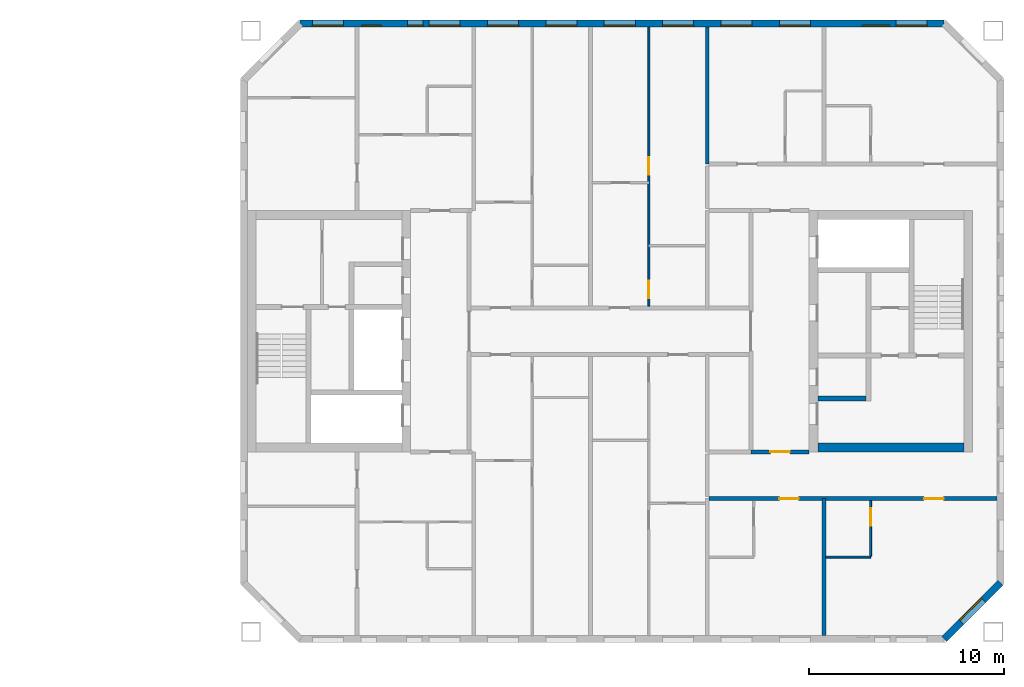
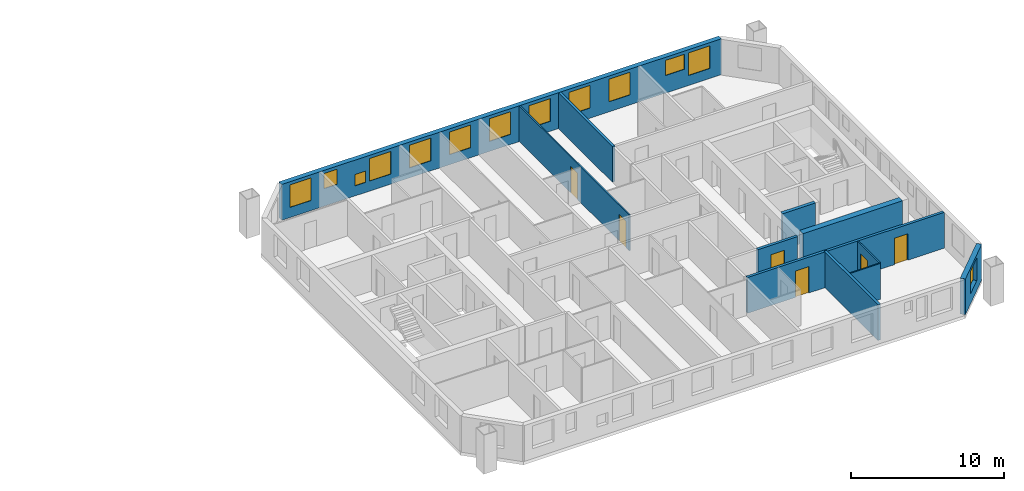
# One storey, part 12 of 16: 13 windows, 11 walls, 6 doors, 19 openings.
"""IFC4 building model written with IfcOpenShell, lengths in metres."""

from ifc_helpers import new_model, si_unit, direction, frame, frame_2d, origin, place, context, subcontext, project, spatial, rectangle, extrude, material, layer, layer_set, type_object, element, fill, save


model = new_model("IFC4")

# Units and contexts
model_context = context("Model", 3, precision=1e-05, world=origin(), true_north=direction((0.0, 1.0)))
body_context = subcontext(model_context, "Body", "Model", "MODEL_VIEW")
ifc_project = project(units=[si_unit("LENGTHUNIT", "METRE"), si_unit("AREAUNIT", "SQUARE_METRE"), si_unit("VOLUMEUNIT", "CUBIC_METRE"), si_unit("PLANEANGLEUNIT", "RADIAN"), si_unit("MASSUNIT", "GRAM", prefix="KILO")], contexts=[model_context])

# Site, building, storey
site_placement = place(None, origin())
site = spatial("IfcSite", under=ifc_project, at=site_placement, CompositionType="ELEMENT")
building_placement = place(site_placement, origin())
building = spatial("IfcBuilding", under=site, at=building_placement, Name="Tuart Gate Housing", CompositionType="ELEMENT")
storey_placement = place(building_placement, frame((0.0, 0.0, 178.89990234375)))
storey = spatial("IfcBuildingStorey", under=building, at=storey_placement, Name="L50", CompositionType="ELEMENT", Elevation=178.89990234375)

# Wall, opening, window
ifc_material_1 = material(Name="Brick", Category="masonry")
ifc_layer_1 = layer(ifc_material_1, 0.360107421875)
ifc_layer_set_1 = layer_set([ifc_layer_1], Name="Brick pier and spandrel wall 360")
wall_type_1 = type_object("IfcWallType", Name="Brick pier and spandrel wall 360", PredefinedType="STANDARD", material=ifc_layer_set_1)
wall_1_placement = place(storey_placement, frame((167.17529296875, 54.179931640625, 0.0), z_axis=(0.0, 0.0, 1.0), x_axis=(0.707106781187, 0.707106781187, 0.0)))
wall_1 = element("IfcWall", 1, at=wall_1_placement, inside=storey, type_object=wall_type_1, Name="External wall B-SE L50", PredefinedType="STANDARD", context=body_context, shape_type="SweptSolid", body=[
    extrude(rectangle(XDim=4.09375, YDim=0.360107421875, at=frame_2d((2.046875, 0.0))), origin(), (0.0, 0.0, 1.0), 2.85009765625),
])
opening_1_placement = place(wall_1_placement, frame((1.2470703125, 0.0, 0.800048828125)))
opening_1 = element("IfcOpeningElement", 2, at=opening_1_placement, cuts=wall_1, Name="Opening W1", PredefinedType="OPENING", context=body_context, shape_type="SweptSolid", body=[
    extrude(rectangle(XDim=1.60009765625, YDim=1.800048828125, at=frame_2d((0.800048828125, 0.89990234375))), frame((0.0, 0.18994140625, 0.0), z_axis=(0.0, -1.0, 0.0), x_axis=(1.0, 0.0, 0.0)), (0.0, 0.0, 1.0), 0.380126953125),
])
ifc_material_2 = material(Name="Aluminium frame with clear glass", Category="aluminium")
window_type_1 = type_object("IfcWindowType", Name="Punched window 1600 x 1800", PartitioningType="SINGLE_PANEL", PredefinedType="WINDOW", material=ifc_material_2)
window_1_placement = place(opening_1_placement, origin())
window_1 = element("IfcWindow", 3, at=window_1_placement, inside=storey, type_object=window_type_1, Name="Window W1", OverallHeight=1.800048828125, OverallWidth=1.60009765625, PartitioningType="SINGLE_PANEL", PredefinedType="WINDOW", context=body_context, shape_type="SweptSolid", body=[
    extrude(rectangle(XDim=1.60009765625, YDim=1.800048828125, at=frame_2d((0.800048828125, 0.89990234375))), frame((0.0, 0.150146484375, 0.0), z_axis=(0.0, -1.0, 0.0), x_axis=(1.0, 0.0, 0.0)), (0.0, 0.0, 1.0), 0.06005859375),
])
fill(opening_1, window_1)

# Wall, openings, windows
wall_2_placement = place(storey_placement, frame((167.17529296875, 85.820068359375, 0.0), z_axis=(0.0, 0.0, 1.0), x_axis=(-1.0, 0.0, 0.0)))
wall_2 = element("IfcWall", 4, at=wall_2_placement, inside=storey, type_object=wall_type_1, Name="External wall B-N L50", PredefinedType="STANDARD", context=body_context, shape_type="SweptSolid", body=[
    extrude(rectangle(XDim=33.100830078125, YDim=0.360107421875, at=frame_2d((16.55029296875, 0.0))), origin(), (0.0, 0.0, 1.0), 2.85009765625),
])
opening_2_placement = place(wall_2_placement, frame((0.87548828125, 0.0, 0.800048828125)))
opening_2 = element("IfcOpeningElement", 5, at=opening_2_placement, cuts=wall_2, Name="Opening W1", PredefinedType="OPENING", context=body_context, shape_type="SweptSolid", body=[
    extrude(rectangle(XDim=1.60009765625, YDim=1.800048828125, at=frame_2d((0.800048828125, 0.89990234375))), frame((0.0, 0.18994140625, 0.0), z_axis=(0.0, -1.0, 0.0), x_axis=(1.0, 0.0, 0.0)), (0.0, 0.0, 1.0), 0.380126953125),
])
opening_3_placement = place(wall_2_placement, frame((2.800048828125, 0.0, 1.39990234375)))
opening_3 = element("IfcOpeningElement", 6, at=opening_3_placement, cuts=wall_2, Name="Opening W1M", PredefinedType="OPENING", context=body_context, shape_type="SweptSolid", body=[
    extrude(rectangle(XDim=1.39990234375, YDim=1.199951171875, at=frame_2d((0.699951171875, 0.60009765625))), frame((0.0, 0.18994140625, 0.0), z_axis=(0.0, -1.0, 0.0), x_axis=(1.0, 0.0, 0.0)), (0.0, 0.0, 1.0), 0.380126953125),
])
opening_4_placement = place(wall_2_placement, frame((6.87548828125, 0.0, 0.800048828125)))
opening_4 = element("IfcOpeningElement", 7, at=opening_4_placement, cuts=wall_2, Name="Opening W1", PredefinedType="OPENING", context=body_context, shape_type="SweptSolid", body=[
    extrude(rectangle(XDim=1.60009765625, YDim=1.800048828125, at=frame_2d((0.800048828125, 0.89990234375))), frame((0.0, 0.18994140625, 0.0), z_axis=(0.0, -1.0, 0.0), x_axis=(1.0, 0.0, 0.0)), (0.0, 0.0, 1.0), 0.380126953125),
])
opening_5_placement = place(wall_2_placement, frame((9.87548828125, 0.0, 0.800048828125)))
opening_5 = element("IfcOpeningElement", 8, at=opening_5_placement, cuts=wall_2, Name="Opening W1", PredefinedType="OPENING", context=body_context, shape_type="SweptSolid", body=[
    extrude(rectangle(XDim=1.60009765625, YDim=1.800048828125, at=frame_2d((0.800048828125, 0.89990234375))), frame((0.0, 0.18994140625, 0.0), z_axis=(0.0, -1.0, 0.0), x_axis=(1.0, 0.0, 0.0)), (0.0, 0.0, 1.0), 0.380126953125),
])
opening_6_placement = place(wall_2_placement, frame((12.87548828125, 0.0, 0.800048828125)))
opening_6 = element("IfcOpeningElement", 9, at=opening_6_placement, cuts=wall_2, Name="Opening W1", PredefinedType="OPENING", context=body_context, shape_type="SweptSolid", body=[
    extrude(rectangle(XDim=1.60009765625, YDim=1.800048828125, at=frame_2d((0.800048828125, 0.89990234375))), frame((0.0, 0.18994140625, 0.0), z_axis=(0.0, -1.0, 0.0), x_axis=(1.0, 0.0, 0.0)), (0.0, 0.0, 1.0), 0.380126953125),
])
opening_7_placement = place(wall_2_placement, frame((15.87548828125, 0.0, 0.800048828125)))
opening_7 = element("IfcOpeningElement", 10, at=opening_7_placement, cuts=wall_2, Name="Opening W1", PredefinedType="OPENING", context=body_context, shape_type="SweptSolid", body=[
    extrude(rectangle(XDim=1.60009765625, YDim=1.800048828125, at=frame_2d((0.800048828125, 0.89990234375))), frame((0.0, 0.18994140625, 0.0), z_axis=(0.0, -1.0, 0.0), x_axis=(1.0, 0.0, 0.0)), (0.0, 0.0, 1.0), 0.380126953125),
])
opening_8_placement = place(wall_2_placement, frame((18.87548828125, 0.0, 0.800048828125)))
opening_8 = element("IfcOpeningElement", 11, at=opening_8_placement, cuts=wall_2, Name="Opening W1", PredefinedType="OPENING", context=body_context, shape_type="SweptSolid", body=[
    extrude(rectangle(XDim=1.60009765625, YDim=1.800048828125, at=frame_2d((0.800048828125, 0.89990234375))), frame((0.0, 0.18994140625, 0.0), z_axis=(0.0, -1.0, 0.0), x_axis=(1.0, 0.0, 0.0)), (0.0, 0.0, 1.0), 0.380126953125),
])
opening_9_placement = place(wall_2_placement, frame((21.87548828125, 0.0, 0.800048828125)))
opening_9 = element("IfcOpeningElement", 12, at=opening_9_placement, cuts=wall_2, Name="Opening W1", PredefinedType="OPENING", context=body_context, shape_type="SweptSolid", body=[
    extrude(rectangle(XDim=1.60009765625, YDim=1.800048828125, at=frame_2d((0.800048828125, 0.89990234375))), frame((0.0, 0.18994140625, 0.0), z_axis=(0.0, -1.0, 0.0), x_axis=(1.0, 0.0, 0.0)), (0.0, 0.0, 1.0), 0.380126953125),
])
opening_10_placement = place(wall_2_placement, frame((24.87548828125, 0.0, 0.800048828125)))
opening_10 = element("IfcOpeningElement", 13, at=opening_10_placement, cuts=wall_2, Name="Opening W1", PredefinedType="OPENING", context=body_context, shape_type="SweptSolid", body=[
    extrude(rectangle(XDim=1.60009765625, YDim=1.800048828125, at=frame_2d((0.800048828125, 0.89990234375))), frame((0.0, 0.18994140625, 0.0), z_axis=(0.0, -1.0, 0.0), x_axis=(1.0, 0.0, 0.0)), (0.0, 0.0, 1.0), 0.380126953125),
])
opening_11_placement = place(wall_2_placement, frame((26.775390625, 0.0, 0.800048828125)))
opening_11 = element("IfcOpeningElement", 14, at=opening_11_placement, cuts=wall_2, Name="Opening W1V", PredefinedType="OPENING", context=body_context, shape_type="SweptSolid", body=[
    extrude(rectangle(XDim=0.800048828125, YDim=0.89990234375, at=frame_2d((0.39990234375, 0.449951171875))), frame((0.0, 0.18994140625, 0.0), z_axis=(0.0, -1.0, 0.0), x_axis=(1.0, 0.0, 0.0)), (0.0, 0.0, 1.0), 0.380126953125),
])
opening_12_placement = place(wall_2_placement, frame((30.87548828125, 0.0, 0.800048828125)))
opening_12 = element("IfcOpeningElement", 15, at=opening_12_placement, cuts=wall_2, Name="Opening W1", PredefinedType="OPENING", context=body_context, shape_type="SweptSolid", body=[
    extrude(rectangle(XDim=1.60009765625, YDim=1.800048828125, at=frame_2d((0.800048828125, 0.89990234375))), frame((0.0, 0.18994140625, 0.0), z_axis=(0.0, -1.0, 0.0), x_axis=(1.0, 0.0, 0.0)), (0.0, 0.0, 1.0), 0.380126953125),
])
opening_13_placement = place(wall_2_placement, frame((28.92529296875, 0.0, 1.39990234375)))
opening_13 = element("IfcOpeningElement", 16, at=opening_13_placement, cuts=wall_2, Name="Opening W1O", PredefinedType="OPENING", context=body_context, shape_type="SweptSolid", body=[
    extrude(rectangle(XDim=1.0, YDim=1.199951171875, at=frame_2d((0.5, 0.60009765625))), frame((0.0, 0.18994140625, 0.0), z_axis=(0.0, -1.0, 0.0), x_axis=(1.0, 0.0, 0.0)), (0.0, 0.0, 1.0), 0.380126953125),
])
ifc_material_3 = material(Name="Aluminium frame with clear glass", Category="aluminium")
window_type_2 = type_object("IfcWindowType", Name="Punched window 1000 x 1200", PartitioningType="SINGLE_PANEL", PredefinedType="WINDOW", material=ifc_material_3)
window_2_placement = place(opening_13_placement, origin())
window_2 = element("IfcWindow", 17, at=window_2_placement, inside=storey, type_object=window_type_2, Name="Window W1O", OverallHeight=1.199951171875, OverallWidth=1.0, PartitioningType="SINGLE_PANEL", PredefinedType="WINDOW", context=body_context, shape_type="SweptSolid", body=[
    extrude(rectangle(XDim=1.0, YDim=1.199951171875, at=frame_2d((0.5, 0.60009765625))), frame((0.0, 0.150146484375, 0.0), z_axis=(0.0, -1.0, 0.0), x_axis=(1.0, 0.0, 0.0)), (0.0, 0.0, 1.0), 0.06005859375),
])
fill(opening_13, window_2)
ifc_material_4 = material(Name="Aluminium frame with clear glass", Category="aluminium")
window_type_3 = type_object("IfcWindowType", Name="Punched window 1400 x 1200", PartitioningType="SINGLE_PANEL", PredefinedType="WINDOW", material=ifc_material_4)
window_3_placement = place(opening_3_placement, origin())
window_3 = element("IfcWindow", 18, at=window_3_placement, inside=storey, type_object=window_type_3, Name="Window W1M", OverallHeight=1.199951171875, OverallWidth=1.39990234375, PartitioningType="SINGLE_PANEL", PredefinedType="WINDOW", context=body_context, shape_type="SweptSolid", body=[
    extrude(rectangle(XDim=1.39990234375, YDim=1.199951171875, at=frame_2d((0.699951171875, 0.60009765625))), frame((0.0, 0.150146484375, 0.0), z_axis=(0.0, -1.0, 0.0), x_axis=(1.0, 0.0, 0.0)), (0.0, 0.0, 1.0), 0.06005859375),
])
fill(opening_3, window_3)
window_4_placement = place(opening_2_placement, origin())
window_4 = element("IfcWindow", 19, at=window_4_placement, inside=storey, type_object=window_type_1, Name="Window W1", OverallHeight=1.800048828125, OverallWidth=1.60009765625, PartitioningType="SINGLE_PANEL", PredefinedType="WINDOW", context=body_context, shape_type="SweptSolid", body=[
    extrude(rectangle(XDim=1.60009765625, YDim=1.800048828125, at=frame_2d((0.800048828125, 0.89990234375))), frame((0.0, 0.150146484375, 0.0), z_axis=(0.0, -1.0, 0.0), x_axis=(1.0, 0.0, 0.0)), (0.0, 0.0, 1.0), 0.06005859375),
])
fill(opening_2, window_4)
window_5_placement = place(opening_4_placement, origin())
window_5 = element("IfcWindow", 20, at=window_5_placement, inside=storey, type_object=window_type_1, Name="Window W1", OverallHeight=1.800048828125, OverallWidth=1.60009765625, PartitioningType="SINGLE_PANEL", PredefinedType="WINDOW", context=body_context, shape_type="SweptSolid", body=[
    extrude(rectangle(XDim=1.60009765625, YDim=1.800048828125, at=frame_2d((0.800048828125, 0.89990234375))), frame((0.0, 0.150146484375, 0.0), z_axis=(0.0, -1.0, 0.0), x_axis=(1.0, 0.0, 0.0)), (0.0, 0.0, 1.0), 0.06005859375),
])
fill(opening_4, window_5)
window_6_placement = place(opening_5_placement, origin())
window_6 = element("IfcWindow", 21, at=window_6_placement, inside=storey, type_object=window_type_1, Name="Window W1", OverallHeight=1.800048828125, OverallWidth=1.60009765625, PartitioningType="SINGLE_PANEL", PredefinedType="WINDOW", context=body_context, shape_type="SweptSolid", body=[
    extrude(rectangle(XDim=1.60009765625, YDim=1.800048828125, at=frame_2d((0.800048828125, 0.89990234375))), frame((0.0, 0.150146484375, 0.0), z_axis=(0.0, -1.0, 0.0), x_axis=(1.0, 0.0, 0.0)), (0.0, 0.0, 1.0), 0.06005859375),
])
fill(opening_5, window_6)
window_7_placement = place(opening_6_placement, origin())
window_7 = element("IfcWindow", 22, at=window_7_placement, inside=storey, type_object=window_type_1, Name="Window W1", OverallHeight=1.800048828125, OverallWidth=1.60009765625, PartitioningType="SINGLE_PANEL", PredefinedType="WINDOW", context=body_context, shape_type="SweptSolid", body=[
    extrude(rectangle(XDim=1.60009765625, YDim=1.800048828125, at=frame_2d((0.800048828125, 0.89990234375))), frame((0.0, 0.150146484375, 0.0), z_axis=(0.0, -1.0, 0.0), x_axis=(1.0, 0.0, 0.0)), (0.0, 0.0, 1.0), 0.06005859375),
])
fill(opening_6, window_7)
window_8_placement = place(opening_7_placement, origin())
window_8 = element("IfcWindow", 23, at=window_8_placement, inside=storey, type_object=window_type_1, Name="Window W1", OverallHeight=1.800048828125, OverallWidth=1.60009765625, PartitioningType="SINGLE_PANEL", PredefinedType="WINDOW", context=body_context, shape_type="SweptSolid", body=[
    extrude(rectangle(XDim=1.60009765625, YDim=1.800048828125, at=frame_2d((0.800048828125, 0.89990234375))), frame((0.0, 0.150146484375, 0.0), z_axis=(0.0, -1.0, 0.0), x_axis=(1.0, 0.0, 0.0)), (0.0, 0.0, 1.0), 0.06005859375),
])
fill(opening_7, window_8)
window_9_placement = place(opening_8_placement, origin())
window_9 = element("IfcWindow", 24, at=window_9_placement, inside=storey, type_object=window_type_1, Name="Window W1", OverallHeight=1.800048828125, OverallWidth=1.60009765625, PartitioningType="SINGLE_PANEL", PredefinedType="WINDOW", context=body_context, shape_type="SweptSolid", body=[
    extrude(rectangle(XDim=1.60009765625, YDim=1.800048828125, at=frame_2d((0.800048828125, 0.89990234375))), frame((0.0, 0.150146484375, 0.0), z_axis=(0.0, -1.0, 0.0), x_axis=(1.0, 0.0, 0.0)), (0.0, 0.0, 1.0), 0.06005859375),
])
fill(opening_8, window_9)
window_10_placement = place(opening_9_placement, origin())
window_10 = element("IfcWindow", 25, at=window_10_placement, inside=storey, type_object=window_type_1, Name="Window W1", OverallHeight=1.800048828125, OverallWidth=1.60009765625, PartitioningType="SINGLE_PANEL", PredefinedType="WINDOW", context=body_context, shape_type="SweptSolid", body=[
    extrude(rectangle(XDim=1.60009765625, YDim=1.800048828125, at=frame_2d((0.800048828125, 0.89990234375))), frame((0.0, 0.150146484375, 0.0), z_axis=(0.0, -1.0, 0.0), x_axis=(1.0, 0.0, 0.0)), (0.0, 0.0, 1.0), 0.06005859375),
])
fill(opening_9, window_10)
window_11_placement = place(opening_10_placement, origin())
window_11 = element("IfcWindow", 26, at=window_11_placement, inside=storey, type_object=window_type_1, Name="Window W1", OverallHeight=1.800048828125, OverallWidth=1.60009765625, PartitioningType="SINGLE_PANEL", PredefinedType="WINDOW", context=body_context, shape_type="SweptSolid", body=[
    extrude(rectangle(XDim=1.60009765625, YDim=1.800048828125, at=frame_2d((0.800048828125, 0.89990234375))), frame((0.0, 0.150146484375, 0.0), z_axis=(0.0, -1.0, 0.0), x_axis=(1.0, 0.0, 0.0)), (0.0, 0.0, 1.0), 0.06005859375),
])
fill(opening_10, window_11)
window_12_placement = place(opening_12_placement, origin())
window_12 = element("IfcWindow", 27, at=window_12_placement, inside=storey, type_object=window_type_1, Name="Window W1", OverallHeight=1.800048828125, OverallWidth=1.60009765625, PartitioningType="SINGLE_PANEL", PredefinedType="WINDOW", context=body_context, shape_type="SweptSolid", body=[
    extrude(rectangle(XDim=1.60009765625, YDim=1.800048828125, at=frame_2d((0.800048828125, 0.89990234375))), frame((0.0, 0.150146484375, 0.0), z_axis=(0.0, -1.0, 0.0), x_axis=(1.0, 0.0, 0.0)), (0.0, 0.0, 1.0), 0.06005859375),
])
fill(opening_12, window_12)
ifc_material_5 = material(Name="Aluminium frame with clear glass", Category="aluminium")
window_type_4 = type_object("IfcWindowType", Name="Punched window 800 x 900", PartitioningType="SINGLE_PANEL", PredefinedType="WINDOW", material=ifc_material_5)
window_13_placement = place(opening_11_placement, origin())
window_13 = element("IfcWindow", 28, at=window_13_placement, inside=storey, type_object=window_type_4, Name="Window W1V", OverallHeight=0.89990234375, OverallWidth=0.800048828125, PartitioningType="SINGLE_PANEL", PredefinedType="WINDOW", context=body_context, shape_type="SweptSolid", body=[
    extrude(rectangle(XDim=0.800048828125, YDim=0.89990234375, at=frame_2d((0.39990234375, 0.449951171875))), frame((0.0, 0.150146484375, 0.0), z_axis=(0.0, -1.0, 0.0), x_axis=(1.0, 0.0, 0.0)), (0.0, 0.0, 1.0), 0.06005859375),
])
fill(opening_11, window_13)

# Walls
ifc_material_6 = material(Name="Concrete C40", Category="concrete")
ifc_layer_2 = layer(ifc_material_6, 0.25)
ifc_layer_set_2 = layer_set([ifc_layer_2], Name="Core wall 250 C40")
wall_type_2 = type_object("IfcWallType", Name="Core wall 250 C40", PredefinedType="SHEAR", material=ifc_layer_set_2)
wall_3_placement = place(storey_placement, frame((160.68994140625, 66.550048828125, 0.0), z_axis=(0.0, 0.0, 1.0), x_axis=(1.0, 0.0, 0.0)))
element("IfcWall", 29, at=wall_3_placement, inside=storey, type_object=wall_type_2, Name="Core wall BK.4", PredefinedType="SHEAR", context=body_context, shape_type="SweptSolid", body=[
    extrude(rectangle(XDim=2.47509765625, YDim=0.25, at=frame_2d((1.237548828125, 0.0))), origin(), (0.0, 0.0, 1.0), 2.85009765625),
])
ifc_material_7 = material(Name="Concrete C40", Category="concrete")
ifc_layer_3 = layer(ifc_material_7, 0.449951171875)
ifc_layer_set_3 = layer_set([ifc_layer_3], Name="Core wall 450 C40")
wall_type_3 = type_object("IfcWallType", Name="Core wall 450 C40", PredefinedType="SHEAR", material=ifc_layer_set_3)
wall_4_placement = place(storey_placement, frame((160.68994140625, 64.02490234375, 0.0), z_axis=(0.0, 0.0, 1.0), x_axis=(1.0, 0.0, 0.0)))
element("IfcWall", 30, at=wall_4_placement, inside=storey, type_object=wall_type_3, Name="Core wall BK north", PredefinedType="SHEAR", context=body_context, shape_type="SweptSolid", body=[
    extrude(rectangle(XDim=7.5, YDim=0.449951171875, at=frame_2d((3.75, 0.0))), origin(), (0.0, 0.0, 1.0), 2.85009765625),
])

# Wall, openings, doors
ifc_material_8 = material(Name="Concrete masonry 15 MPa", Category="masonry")
ifc_layer_4 = layer(ifc_material_8, 0.199951171875)
ifc_layer_set_4 = layer_set([ifc_layer_4], Name="Corridor wall masonry 200")
wall_type_4 = type_object("IfcWallType", Name="Corridor wall masonry 200", PredefinedType="PARTITIONING", material=ifc_layer_set_4)
wall_5_placement = place(storey_placement, frame((155.10009765625, 61.39990234375, 0.0), z_axis=(0.0, 0.0, 1.0), x_axis=(1.0, 0.0, 0.0)))
wall_5 = element("IfcWall", 31, at=wall_5_placement, inside=storey, type_object=wall_type_4, Name="Corridor wall masonry 200", PredefinedType="PARTITIONING", context=body_context, shape_type="SweptSolid", body=[
    extrude(rectangle(XDim=14.789794921875, YDim=0.199951171875, at=frame_2d((7.39501953125, 0.0))), origin(), (0.0, 0.0, 1.0), 2.85009765625),
])
opening_14_placement = place(wall_5_placement, frame((3.60009765625, 0.0, 0.0)))
opening_14 = element("IfcOpeningElement", 32, at=opening_14_placement, cuts=wall_5, Name="Opening D1831", PredefinedType="OPENING", context=body_context, shape_type="SweptSolid", body=[
    extrude(rectangle(XDim=1.0, YDim=2.10009765625, at=frame_2d((0.5, 1.050048828125))), frame((0.0, 0.10986328125, 0.0), z_axis=(0.0, -1.0, 0.0), x_axis=(1.0, 0.0, 0.0)), (0.0, 0.0, 1.0), 0.219970703125),
])
opening_15_placement = place(wall_5_placement, frame((11.044921875, 0.0, 0.0)))
opening_15 = element("IfcOpeningElement", 33, at=opening_15_placement, cuts=wall_5, Name="Opening D1832", PredefinedType="OPENING", context=body_context, shape_type="SweptSolid", body=[
    extrude(rectangle(XDim=1.0, YDim=2.10009765625, at=frame_2d((0.5, 1.050048828125))), frame((0.0, 0.10986328125, 0.0), z_axis=(0.0, -1.0, 0.0), x_axis=(1.0, 0.0, 0.0)), (0.0, 0.0, 1.0), 0.219970703125),
])
ifc_material_9 = material(Name="Timber door leaf in steel frame", Category="steel")
door_type_1 = type_object("IfcDoorType", Name="Flat entrance door 1000 RH", OperationType="SINGLE_SWING_RIGHT", PredefinedType="DOOR", material=ifc_material_9)
door_1_placement = place(opening_14_placement, frame((1.0, 0.0, 0.0), z_axis=(0.0, 0.0, 1.0), x_axis=(-1.0, 0.0, 0.0)))
door_1 = element("IfcDoor", 34, at=door_1_placement, inside=storey, type_object=door_type_1, Name="Flat entrance door", OperationType="SINGLE_SWING_RIGHT", OverallHeight=2.10009765625, OverallWidth=1.0, PredefinedType="DOOR", context=body_context, shape_type="SweptSolid", body=[
    extrude(rectangle(XDim=1.0, YDim=2.10009765625, at=frame_2d((0.5, 1.050048828125))), frame((0.0, 0.025146484375, 0.0), z_axis=(0.0, -1.0, 0.0), x_axis=(1.0, 0.0, 0.0)), (0.0, 0.0, 1.0), 0.050048828125),
])
fill(opening_14, door_1)
door_2_placement = place(opening_15_placement, frame((1.0, 0.0, 0.0), z_axis=(0.0, 0.0, 1.0), x_axis=(-1.0, 0.0, 0.0)))
door_2 = element("IfcDoor", 35, at=door_2_placement, inside=storey, type_object=door_type_1, Name="Flat entrance door", OperationType="SINGLE_SWING_RIGHT", OverallHeight=2.10009765625, OverallWidth=1.0, PredefinedType="DOOR", context=body_context, shape_type="SweptSolid", body=[
    extrude(rectangle(XDim=1.0, YDim=2.10009765625, at=frame_2d((0.5, 1.050048828125))), frame((0.0, 0.025146484375, 0.0), z_axis=(0.0, -1.0, 0.0), x_axis=(1.0, 0.0, 0.0)), (0.0, 0.0, 1.0), 0.050048828125),
])
fill(opening_15, door_2)

# Wall, opening, door
ifc_material_10 = material(Name="Concrete masonry 15 MPa", Category="masonry")
ifc_layer_5 = layer(ifc_material_10, 0.199951171875)
ifc_layer_set_5 = layer_set([ifc_layer_5], Name="Enclosure wall masonry 200")
wall_type_5 = type_object("IfcWallType", Name="Enclosure wall masonry 200", PredefinedType="PARTITIONING", material=ifc_layer_set_5)
wall_6_placement = place(storey_placement, frame((157.239990234375, 63.800048828125, 0.0), z_axis=(0.0, 0.0, 1.0), x_axis=(1.0, 0.0, 0.0)))
wall_6 = element("IfcWall", 36, at=wall_6_placement, inside=storey, type_object=wall_type_5, Name="Enclosure wall masonry 200", PredefinedType="PARTITIONING", context=body_context, shape_type="SweptSolid", body=[
    extrude(rectangle(XDim=3.0, YDim=0.199951171875, at=frame_2d((1.5, 0.0))), origin(), (0.0, 0.0, 1.0), 2.85009765625),
])
opening_16_placement = place(wall_6_placement, frame((1.0, 0.0, 0.0)))
opening_16 = element("IfcOpeningElement", 37, at=opening_16_placement, cuts=wall_6, Name="Opening D1825", PredefinedType="OPENING", context=body_context, shape_type="SweptSolid", body=[
    extrude(rectangle(XDim=1.0, YDim=2.10009765625, at=frame_2d((0.5, 1.050048828125))), frame((0.0, 0.10986328125, 0.0), z_axis=(0.0, -1.0, 0.0), x_axis=(1.0, 0.0, 0.0)), (0.0, 0.0, 1.0), 0.219970703125),
])
ifc_material_11 = material(Name="Timber door leaf in steel frame", Category="steel")
door_type_2 = type_object("IfcDoorType", Name="Fire door 1000 RH", OperationType="SINGLE_SWING_RIGHT", PredefinedType="DOOR", material=ifc_material_11)
door_3_placement = place(opening_16_placement, frame((1.0, 0.0, 0.0), z_axis=(0.0, 0.0, 1.0), x_axis=(-1.0, 0.0, 0.0)))
door_3 = element("IfcDoor", 38, at=door_3_placement, inside=storey, type_object=door_type_2, Name="Fire door", OperationType="SINGLE_SWING_RIGHT", OverallHeight=2.10009765625, OverallWidth=1.0, PredefinedType="DOOR", context=body_context, shape_type="SweptSolid", body=[
    extrude(rectangle(XDim=1.0, YDim=2.10009765625, at=frame_2d((0.5, 1.050048828125))), frame((0.0, 0.025146484375, 0.0), z_axis=(0.0, -1.0, 0.0), x_axis=(1.0, 0.0, 0.0)), (0.0, 0.0, 1.0), 0.050048828125),
])
fill(opening_16, door_3)

# Wall
ifc_material_12 = material(Name="Gypsum board on steel studs", Category="steel")
ifc_layer_6 = layer(ifc_material_12, 0.10009765625)
ifc_layer_set_6 = layer_set([ifc_layer_6], Name="Partition 100")
wall_type_6 = type_object("IfcWallType", Name="Partition 100", PredefinedType="PARTITIONING", material=ifc_layer_set_6)
wall_7_placement = place(storey_placement, frame((161.10009765625, 58.39990234375, 0.0), z_axis=(0.0, 0.0, 1.0), x_axis=(1.0, 0.0, 0.0)))
element("IfcWall", 39, at=wall_7_placement, inside=storey, type_object=wall_type_6, Name="Partition 100", PredefinedType="PARTITIONING", context=body_context, shape_type="SweptSolid", body=[
    extrude(rectangle(XDim=2.2998046875, YDim=0.10009765625, at=frame_2d((1.14990234375, 0.0))), origin(), (0.0, 0.0, 1.0), 2.85009765625),
])

# Wall, openings, doors
wall_8_placement = place(storey_placement, frame((152.0, 71.300048828125, 0.0), z_axis=(0.0, 0.0, 1.0), x_axis=(0.0, 1.0, 0.0)))
wall_8 = element("IfcWall", 40, at=wall_8_placement, inside=storey, type_object=wall_type_6, Name="Partition 100", PredefinedType="PARTITIONING", context=body_context, shape_type="SweptSolid", body=[
    extrude(rectangle(XDim=14.33984375, YDim=0.10009765625, at=frame_2d((7.169921875, 0.0))), origin(), (0.0, 0.0, 1.0), 2.85009765625),
])
opening_17_placement = place(wall_8_placement, frame((6.739990234375, 0.0, 0.0)))
opening_17 = element("IfcOpeningElement", 41, at=opening_17_placement, cuts=wall_8, Name="Opening D1802", PredefinedType="OPENING", context=body_context, shape_type="SweptSolid", body=[
    extrude(rectangle(XDim=0.89990234375, YDim=2.10009765625, at=frame_2d((0.449951171875, 1.050048828125))), frame((0.0, 0.06005859375, 0.0), z_axis=(0.0, -1.0, 0.0), x_axis=(1.0, 0.0, 0.0)), (0.0, 0.0, 1.0), 0.1201171875),
])
opening_18_placement = place(wall_8_placement, frame((0.39990234375, 0.0, 0.0)))
opening_18 = element("IfcOpeningElement", 42, at=opening_18_placement, cuts=wall_8, Name="Opening D1801", PredefinedType="OPENING", context=body_context, shape_type="SweptSolid", body=[
    extrude(rectangle(XDim=0.89990234375, YDim=2.10009765625, at=frame_2d((0.449951171875, 1.050048828125))), frame((0.0, 0.06005859375, 0.0), z_axis=(0.0, -1.0, 0.0), x_axis=(1.0, 0.0, 0.0)), (0.0, 0.0, 1.0), 0.1201171875),
])
ifc_material_13 = material(Name="Timber door leaf in steel frame", Category="steel")
door_type_3 = type_object("IfcDoorType", Name="Bathroom door 900 RH", OperationType="SINGLE_SWING_RIGHT", PredefinedType="DOOR", material=ifc_material_13)
door_4_placement = place(opening_18_placement, frame((0.89990234375, 0.0, 0.0), z_axis=(0.0, 0.0, 1.0), x_axis=(-1.0, 0.0, 0.0)))
door_4 = element("IfcDoor", 43, at=door_4_placement, inside=storey, type_object=door_type_3, Name="Bathroom door", OperationType="SINGLE_SWING_RIGHT", OverallHeight=2.10009765625, OverallWidth=0.89990234375, PredefinedType="DOOR", context=body_context, shape_type="SweptSolid", body=[
    extrude(rectangle(XDim=0.89990234375, YDim=2.10009765625, at=frame_2d((0.449951171875, 1.050048828125))), frame((0.0, 0.025146484375, 0.0), z_axis=(0.0, -1.0, 0.0), x_axis=(1.0, 0.0, 0.0)), (0.0, 0.0, 1.0), 0.050048828125),
])
fill(opening_18, door_4)
ifc_material_14 = material(Name="Timber door leaf in steel frame", Category="steel")
door_type_4 = type_object("IfcDoorType", Name="Internal door 900 RH", OperationType="SINGLE_SWING_RIGHT", PredefinedType="DOOR", material=ifc_material_14)
door_5_placement = place(opening_17_placement, frame((0.89990234375, 0.0, 0.0), z_axis=(0.0, 0.0, 1.0), x_axis=(-1.0, 0.0, 0.0)))
door_5 = element("IfcDoor", 44, at=door_5_placement, inside=storey, type_object=door_type_4, Name="Internal door", OperationType="SINGLE_SWING_RIGHT", OverallHeight=2.10009765625, OverallWidth=0.89990234375, PredefinedType="DOOR", context=body_context, shape_type="SweptSolid", body=[
    extrude(rectangle(XDim=0.89990234375, YDim=2.10009765625, at=frame_2d((0.449951171875, 1.050048828125))), frame((0.0, 0.025146484375, 0.0), z_axis=(0.0, -1.0, 0.0), x_axis=(1.0, 0.0, 0.0)), (0.0, 0.0, 1.0), 0.050048828125),
])
fill(opening_17, door_5)

# Wall, opening, door
wall_9_placement = place(storey_placement, frame((163.39990234375, 58.449951171875, 0.0), z_axis=(0.0, 0.0, 1.0), x_axis=(0.0, 1.0, 0.0)))
wall_9 = element("IfcWall", 45, at=wall_9_placement, inside=storey, type_object=wall_type_6, Name="Partition 100", PredefinedType="PARTITIONING", context=body_context, shape_type="SweptSolid", body=[
    extrude(rectangle(XDim=2.85009765625, YDim=0.10009765625, at=frame_2d((1.425048828125, 0.0))), origin(), (0.0, 0.0, 1.0), 2.85009765625),
])
opening_19_placement = place(wall_9_placement, frame((1.550048828125, 0.0, 0.0)))
opening_19 = element("IfcOpeningElement", 46, at=opening_19_placement, cuts=wall_9, Name="Opening D1837", PredefinedType="OPENING", context=body_context, shape_type="SweptSolid", body=[
    extrude(rectangle(XDim=0.89990234375, YDim=2.10009765625, at=frame_2d((0.449951171875, 1.050048828125))), frame((0.0, 0.06005859375, 0.0), z_axis=(0.0, -1.0, 0.0), x_axis=(1.0, 0.0, 0.0)), (0.0, 0.0, 1.0), 0.1201171875),
])
door_6_placement = place(opening_19_placement, origin())
door_6 = element("IfcDoor", 47, at=door_6_placement, inside=storey, type_object=door_type_3, Name="Bathroom door", OperationType="SINGLE_SWING_RIGHT", OverallHeight=2.10009765625, OverallWidth=0.89990234375, PredefinedType="DOOR", context=body_context, shape_type="SweptSolid", body=[
    extrude(rectangle(XDim=0.89990234375, YDim=2.10009765625, at=frame_2d((0.449951171875, 1.050048828125))), frame((0.0, 0.02490234375, 0.0), z_axis=(0.0, -1.0, 0.0), x_axis=(1.0, 0.0, 0.0)), (0.0, 0.0, 1.0), 0.050048828125),
])
fill(opening_19, door_6)

# Walls
ifc_material_15 = material(Name="Concrete C40", Category="concrete")
ifc_layer_7 = layer(ifc_material_15, 0.199951171875)
ifc_layer_set_7 = layer_set([ifc_layer_7], Name="Party wall concrete C40 200")
wall_type_7 = type_object("IfcWallType", Name="Party wall concrete C40 200", PredefinedType="SOLIDWALL", material=ifc_layer_set_7)
for number, where, z_axis, x_axis, name in (
    (48, (155.0, 78.60009765625, 0.0), (0.0, 0.0, 1.0), (0.0, 1.0, 0.0), "Party wall concrete C40 200"),
    (49, (161.0, 54.360107421875, 0.0), (0.0, 0.0, 1.0), (0.0, 1.0, 0.0), "Party wall concrete C40 200"),
):
    element("IfcWall", number, at=place(storey_placement, frame(where, z_axis=z_axis, x_axis=x_axis)), inside=storey, type_object=wall_type_7, Name=name, PredefinedType="SOLIDWALL", context=body_context, shape_type="SweptSolid", body=[
        extrude(rectangle(XDim=7.039794921875, YDim=0.199951171875, at=frame_2d((3.52001953125, 0.0))), origin(), (0.0, 0.0, 1.0), 2.85009765625),
    ])

save(model, "model.ifc")
